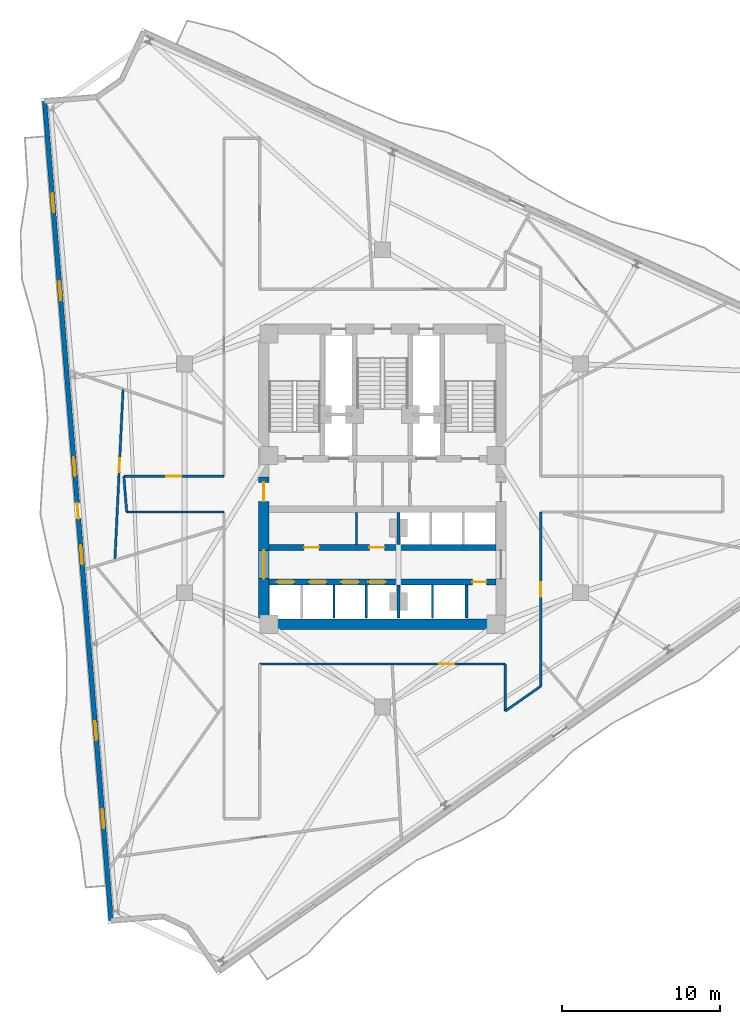
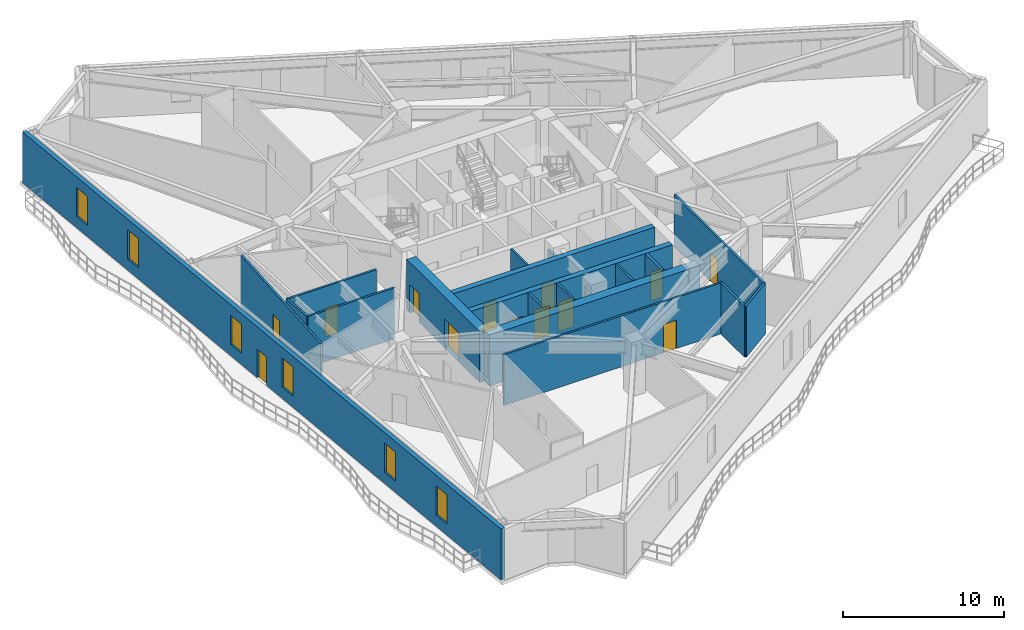
# One storey, part 5 of 12: 20 walls, 14 doors, 6 windows, 20 openings.
"""IFC4 building model written with IfcOpenShell, lengths in metres."""

from ifc_helpers import new_model, si_unit, direction, frame, frame_2d, origin, place, context, subcontext, project, spatial, rectangle, extrude, material, layer, layer_set, type_object, element, fill, save


model = new_model("IFC4")

# Units and contexts
model_context = context("Model", 3, precision=1e-05, world=origin(), true_north=direction((0.0, 1.0)))
body_context = subcontext(model_context, "Body", "Model", "MODEL_VIEW")
ifc_project = project(units=[si_unit("LENGTHUNIT", "METRE"), si_unit("AREAUNIT", "SQUARE_METRE"), si_unit("VOLUMEUNIT", "CUBIC_METRE"), si_unit("PLANEANGLEUNIT", "RADIAN"), si_unit("MASSUNIT", "GRAM", prefix="KILO")], contexts=[model_context])

# Site, building, storey
site_placement = place(None, origin())
site = spatial("IfcSite", under=ifc_project, at=site_placement, CompositionType="ELEMENT")
building_placement = place(site_placement, origin())
building = spatial("IfcBuilding", under=site, at=building_placement, Name="Apsidion Concourse Tower", CompositionType="ELEMENT")
storey_placement = place(building_placement, frame((0.0, 0.0, 198.300048828125)))
storey = spatial("IfcBuildingStorey", under=building, at=storey_placement, Name="L46", CompositionType="ELEMENT", Elevation=198.300048828125)

# Wall, openings, door, windows
ifc_material_1 = material(Name="Precast concrete C40/50", Category="concrete")
ifc_layer_1 = layer(ifc_material_1, 0.300048828125)
ifc_layer_set_1 = layer_set([ifc_layer_1], Name="Precast concrete C40/50")
wall_type_1 = type_object("IfcWallType", Name="WL-EXT-300", PredefinedType="STANDARD", material=ifc_layer_set_1)
wall_1_placement = place(storey_placement, frame((-17.2158203125, -28.039794921875, 0.0), z_axis=(0.0, 0.0, 1.0), x_axis=(-0.080930933538, 0.996719711853, 0.0)))
wall_1 = element("IfcWall", 1, at=wall_1_placement, inside=storey, type_object=wall_type_1, Name="L46 Precast Stone Facade Wall 09", PredefinedType="STANDARD", context=body_context, shape_type="SweptSolid", body=[
    extrude(rectangle(XDim=52.127685546875, YDim=0.300048828125, at=frame_2d((26.06396484375, 0.0))), origin(), (0.0, 0.0, 1.0), 3.849853515625),
])
opening_1_placement = place(wall_1_placement, frame((25.56396484375, 0.0, 0.0)))
opening_1 = element("IfcOpeningElement", 2, at=opening_1_placement, cuts=wall_1, Name="Opening D-T1L", PredefinedType="OPENING", context=body_context, shape_type="SweptSolid", body=[
    extrude(rectangle(XDim=1.0, YDim=2.14990234375, at=frame_2d((0.5, 1.074951171875))), frame((0.0, 0.16015625, 0.0), z_axis=(0.0, -1.0, 0.0), x_axis=(1.0, 0.0, 0.0)), (0.0, 0.0, 1.0), 0.320068359375),
])
opening_2_placement = place(wall_1_placement, frame((5.864013671875, 0.0, 0.85009765625)))
opening_2 = element("IfcOpeningElement", 3, at=opening_2_placement, cuts=wall_1, Name="Opening WN-06", PredefinedType="OPENING", context=body_context, shape_type="SweptSolid", body=[
    extrude(rectangle(XDim=1.199951171875, YDim=2.199951171875, at=frame_2d((0.60009765625, 1.10009765625))), frame((0.0, 0.16015625, 0.0), z_axis=(0.0, -1.0, 0.0), x_axis=(1.0, 0.0, 0.0)), (0.0, 0.0, 1.0), 0.320068359375),
])
opening_3_placement = place(wall_1_placement, frame((11.4638671875, 0.0, 0.85009765625)))
opening_3 = element("IfcOpeningElement", 4, at=opening_3_placement, cuts=wall_1, Name="Opening WN-06", PredefinedType="OPENING", context=body_context, shape_type="SweptSolid", body=[
    extrude(rectangle(XDim=1.199951171875, YDim=2.199951171875, at=frame_2d((0.60009765625, 1.10009765625))), frame((0.0, 0.16015625, 0.0), z_axis=(0.0, -1.0, 0.0), x_axis=(1.0, 0.0, 0.0)), (0.0, 0.0, 1.0), 0.320068359375),
])
opening_4_placement = place(wall_1_placement, frame((22.663818359375, 0.0, 0.85009765625)))
opening_4 = element("IfcOpeningElement", 5, at=opening_4_placement, cuts=wall_1, Name="Opening WN-06", PredefinedType="OPENING", context=body_context, shape_type="SweptSolid", body=[
    extrude(rectangle(XDim=1.199951171875, YDim=2.199951171875, at=frame_2d((0.60009765625, 1.10009765625))), frame((0.0, 0.16015625, 0.0), z_axis=(0.0, -1.0, 0.0), x_axis=(1.0, 0.0, 0.0)), (0.0, 0.0, 1.0), 0.320068359375),
])
opening_5_placement = place(wall_1_placement, frame((28.263916015625, 0.0, 0.85009765625)))
opening_5 = element("IfcOpeningElement", 6, at=opening_5_placement, cuts=wall_1, Name="Opening WN-06", PredefinedType="OPENING", context=body_context, shape_type="SweptSolid", body=[
    extrude(rectangle(XDim=1.199951171875, YDim=2.199951171875, at=frame_2d((0.60009765625, 1.10009765625))), frame((0.0, 0.16015625, 0.0), z_axis=(0.0, -1.0, 0.0), x_axis=(1.0, 0.0, 0.0)), (0.0, 0.0, 1.0), 0.320068359375),
])
opening_6_placement = place(wall_1_placement, frame((39.4638671875, 0.0, 0.85009765625)))
opening_6 = element("IfcOpeningElement", 7, at=opening_6_placement, cuts=wall_1, Name="Opening WN-06", PredefinedType="OPENING", context=body_context, shape_type="SweptSolid", body=[
    extrude(rectangle(XDim=1.199951171875, YDim=2.199951171875, at=frame_2d((0.60009765625, 1.10009765625))), frame((0.0, 0.16015625, 0.0), z_axis=(0.0, -1.0, 0.0), x_axis=(1.0, 0.0, 0.0)), (0.0, 0.0, 1.0), 0.320068359375),
])
opening_7_placement = place(wall_1_placement, frame((45.06396484375, 0.0, 0.85009765625)))
opening_7 = element("IfcOpeningElement", 8, at=opening_7_placement, cuts=wall_1, Name="Opening WN-06", PredefinedType="OPENING", context=body_context, shape_type="SweptSolid", body=[
    extrude(rectangle(XDim=1.199951171875, YDim=2.199951171875, at=frame_2d((0.60009765625, 1.10009765625))), frame((0.0, 0.16015625, 0.0), z_axis=(0.0, -1.0, 0.0), x_axis=(1.0, 0.0, 0.0)), (0.0, 0.0, 1.0), 0.320068359375),
])
ifc_material_2 = material(Name="Anodised aluminium EN AW-6063 T6", Category="aluminium")
door_type_1 = type_object("IfcDoorType", Name="DR-TER-1022L", OperationType="SINGLE_SWING_LEFT", PredefinedType="DOOR", material=ifc_material_2)
door_1_placement = place(opening_1_placement, origin())
door_1 = element("IfcDoor", 9, at=door_1_placement, inside=storey, type_object=door_type_1, Name="L46 Balcony Access Door 1", OperationType="SINGLE_SWING_LEFT", OverallHeight=2.14990234375, OverallWidth=1.0, PredefinedType="DOOR", context=body_context, shape_type="SweptSolid", body=[
    extrude(rectangle(XDim=1.0, YDim=2.14990234375, at=frame_2d((0.5, 1.074951171875))), frame((0.0, 0.02490234375, 0.0), z_axis=(0.0, -1.0, 0.0), x_axis=(1.0, 0.0, 0.0)), (0.0, 0.0, 1.0), 0.050048828125),
])
fill(opening_1, door_1)
ifc_material_3 = material(Name="Insulated laminated low-E glass", Category="glass")
window_type = type_object("IfcWindowType", Name="WN-OFF-1224", PartitioningType="SINGLE_PANEL", PredefinedType="WINDOW", material=ifc_material_3)
window_1_placement = place(opening_2_placement, origin())
window_1 = element("IfcWindow", 10, at=window_1_placement, inside=storey, type_object=window_type, Name="L46 Punched Facade Window 9-01", OverallHeight=2.199951171875, OverallWidth=1.199951171875, PartitioningType="SINGLE_PANEL", PredefinedType="WINDOW", context=body_context, shape_type="SweptSolid", body=[
    extrude(rectangle(XDim=1.199951171875, YDim=2.199951171875, at=frame_2d((0.60009765625, 1.10009765625))), frame((0.0, 0.030029296875, 0.0), z_axis=(0.0, -1.0, 0.0), x_axis=(1.0, 0.0, 0.0)), (0.0, 0.0, 1.0), 0.06005859375),
])
fill(opening_2, window_1)
window_2_placement = place(opening_3_placement, origin())
window_2 = element("IfcWindow", 11, at=window_2_placement, inside=storey, type_object=window_type, Name="L46 Punched Facade Window 9-02", OverallHeight=2.199951171875, OverallWidth=1.199951171875, PartitioningType="SINGLE_PANEL", PredefinedType="WINDOW", context=body_context, shape_type="SweptSolid", body=[
    extrude(rectangle(XDim=1.199951171875, YDim=2.199951171875, at=frame_2d((0.60009765625, 1.10009765625))), frame((0.0, 0.030029296875, 0.0), z_axis=(0.0, -1.0, 0.0), x_axis=(1.0, 0.0, 0.0)), (0.0, 0.0, 1.0), 0.06005859375),
])
fill(opening_3, window_2)
window_3_placement = place(opening_4_placement, origin())
window_3 = element("IfcWindow", 12, at=window_3_placement, inside=storey, type_object=window_type, Name="L46 Punched Facade Window 9-04", OverallHeight=2.199951171875, OverallWidth=1.199951171875, PartitioningType="SINGLE_PANEL", PredefinedType="WINDOW", context=body_context, shape_type="SweptSolid", body=[
    extrude(rectangle(XDim=1.199951171875, YDim=2.199951171875, at=frame_2d((0.60009765625, 1.10009765625))), frame((0.0, 0.030029296875, 0.0), z_axis=(0.0, -1.0, 0.0), x_axis=(1.0, 0.0, 0.0)), (0.0, 0.0, 1.0), 0.06005859375),
])
fill(opening_4, window_3)
window_4_placement = place(opening_5_placement, origin())
window_4 = element("IfcWindow", 13, at=window_4_placement, inside=storey, type_object=window_type, Name="L46 Punched Facade Window 9-05", OverallHeight=2.199951171875, OverallWidth=1.199951171875, PartitioningType="SINGLE_PANEL", PredefinedType="WINDOW", context=body_context, shape_type="SweptSolid", body=[
    extrude(rectangle(XDim=1.199951171875, YDim=2.199951171875, at=frame_2d((0.60009765625, 1.10009765625))), frame((0.0, 0.030029296875, 0.0), z_axis=(0.0, -1.0, 0.0), x_axis=(1.0, 0.0, 0.0)), (0.0, 0.0, 1.0), 0.06005859375),
])
fill(opening_5, window_4)
window_5_placement = place(opening_6_placement, origin())
window_5 = element("IfcWindow", 14, at=window_5_placement, inside=storey, type_object=window_type, Name="L46 Punched Facade Window 9-07", OverallHeight=2.199951171875, OverallWidth=1.199951171875, PartitioningType="SINGLE_PANEL", PredefinedType="WINDOW", context=body_context, shape_type="SweptSolid", body=[
    extrude(rectangle(XDim=1.199951171875, YDim=2.199951171875, at=frame_2d((0.60009765625, 1.10009765625))), frame((0.0, 0.030029296875, 0.0), z_axis=(0.0, -1.0, 0.0), x_axis=(1.0, 0.0, 0.0)), (0.0, 0.0, 1.0), 0.06005859375),
])
fill(opening_6, window_5)
window_6_placement = place(opening_7_placement, origin())
window_6 = element("IfcWindow", 15, at=window_6_placement, inside=storey, type_object=window_type, Name="L46 Punched Facade Window 9-08", OverallHeight=2.199951171875, OverallWidth=1.199951171875, PartitioningType="SINGLE_PANEL", PredefinedType="WINDOW", context=body_context, shape_type="SweptSolid", body=[
    extrude(rectangle(XDim=1.199951171875, YDim=2.199951171875, at=frame_2d((0.60009765625, 1.10009765625))), frame((0.0, 0.030029296875, 0.0), z_axis=(0.0, -1.0, 0.0), x_axis=(1.0, 0.0, 0.0)), (0.0, 0.0, 1.0), 0.06005859375),
])
fill(opening_7, window_6)

# Walls
ifc_material_4 = material(Name="Gypsum plasterboard partition")
ifc_layer_2 = layer(ifc_material_4, 0.14990234375)
ifc_layer_set_2 = layer_set([ifc_layer_2], Name="Gypsum plasterboard partition")
wall_type_2 = type_object("IfcWallType", Name="WL-INT-PAR-150", PredefinedType="PARTITIONING", material=ifc_layer_set_2)
wall_2_placement = place(storey_placement, frame((-1.64990234375, -4.179931640625, 0.0), z_axis=(0.0, 0.0, 1.0), x_axis=(0.0, 1.0, 0.0)))
element("IfcWall", 16, at=wall_2_placement, inside=storey, type_object=wall_type_2, Name="L46 Interior Partition WL-L46-B1RV1", PredefinedType="PARTITIONING", context=body_context, shape_type="SweptSolid", body=[
    extrude(rectangle(XDim=2.030029296875, YDim=0.14990234375, at=frame_2d((1.01513671875, 0.0))), origin(), (0.0, 0.0, 1.0), 3.849853515625),
])
for number, where, z_axis, x_axis, name in (
    (17, (-3.074951171875, -8.85009765625, 0.0), (0.0, 0.0, 1.0), (0.0, 1.0, 0.0), "L46 Interior Partition WL-L46-B2DIV-2"),
    (18, (-1.02490234375, -8.85009765625, 0.0), (0.0, 0.0, 1.0), (0.0, 1.0, 0.0), "L46 Interior Partition WL-L46-B2DIV-3"),
    (19, (3.175048828125, -8.85009765625, 0.0), (0.0, 0.0, 1.0), (0.0, 1.0, 0.0), "L46 Interior Partition WL-L46-SHDIV-1"),
):
    element("IfcWall", number, at=place(storey_placement, frame(where, z_axis=z_axis, x_axis=x_axis)), inside=storey, type_object=wall_type_2, Name=name, PredefinedType="PARTITIONING", context=body_context, shape_type="SweptSolid", body=[
        extrude(rectangle(XDim=2.080078125, YDim=0.14990234375, at=frame_2d((1.0400390625, 0.0))), origin(), (0.0, 0.0, 1.0), 3.849853515625),
    ])
wall_3_placement = place(storey_placement, frame((10.050048828125, -13.177490234375, 0.0), z_axis=(0.0, 0.0, 1.0), x_axis=(-0.819144609591, -0.573587054053, 0.0)))
element("IfcWall", 20, at=wall_3_placement, inside=storey, type_object=wall_type_2, Name="L46 Interior Partition WL-L46-CORR-01", PredefinedType="PARTITIONING", context=body_context, shape_type="SweptSolid", body=[
    extrude(rectangle(XDim=2.759033203125, YDim=0.14990234375, at=frame_2d((1.37939453125, 0.0))), origin(), (0.0, 0.0, 1.0), 3.849853515625),
])
wall_4_placement = place(storey_placement, frame((7.7900390625, -14.760009765625, 0.0), z_axis=(0.0, 0.0, 1.0), x_axis=(0.0, 1.0, 0.0)))
element("IfcWall", 21, at=wall_4_placement, inside=storey, type_object=wall_type_2, Name="L46 Interior Partition WL-L46-CORR-02", PredefinedType="PARTITIONING", context=body_context, shape_type="SweptSolid", body=[
    extrude(rectangle(XDim=2.985107421875, YDim=0.14990234375, at=frame_2d((1.49267578125, 0.0))), origin(), (0.0, 0.0, 1.0), 3.849853515625),
])

# Wall, opening, door
wall_5_placement = place(storey_placement, frame((7.7900390625, -11.77490234375, 0.0), z_axis=(0.0, 0.0, 1.0), x_axis=(-1.0, 0.0, 0.0)))
wall_5 = element("IfcWall", 22, at=wall_5_placement, inside=storey, type_object=wall_type_2, Name="L46 Interior Partition WL-L46-CORR-03", PredefinedType="PARTITIONING", context=body_context, shape_type="SweptSolid", body=[
    extrude(rectangle(XDim=15.580078125, YDim=0.14990234375, at=frame_2d((7.7900390625, 0.0))), origin(), (0.0, 0.0, 1.0), 3.849853515625),
])
opening_8_placement = place(wall_5_placement, frame((3.23779296875, 0.0, 0.0)))
opening_8 = element("IfcOpeningElement", 23, at=opening_8_placement, cuts=wall_5, Name="Opening D-01L", PredefinedType="OPENING", context=body_context, shape_type="SweptSolid", body=[
    extrude(rectangle(XDim=0.949951171875, YDim=2.14990234375, at=frame_2d((0.47509765625, 1.074951171875))), frame((0.0, 0.0849609375, 0.0), z_axis=(0.0, -1.0, 0.0), x_axis=(1.0, 0.0, 0.0)), (0.0, 0.0, 1.0), 0.169921875),
])
ifc_material_5 = material(Name="Brushed stainless steel 316", Category="steel")
door_type_2 = type_object("IfcDoorType", Name="DR-INT-D01L", OperationType="SINGLE_SWING_LEFT", PredefinedType="DOOR", material=ifc_material_5)
door_2_placement = place(opening_8_placement, origin())
door_2 = element("IfcDoor", 24, at=door_2_placement, inside=storey, type_object=door_type_2, Name="L46 Corridor Entry Door 03", OperationType="SINGLE_SWING_LEFT", OverallHeight=2.14990234375, OverallWidth=0.949951171875, PredefinedType="DOOR", context=body_context, shape_type="SweptSolid", body=[
    extrude(rectangle(XDim=0.949951171875, YDim=2.14990234375, at=frame_2d((0.47509765625, 1.074951171875))), frame((0.0, 0.02490234375, 0.0), z_axis=(0.0, -1.0, 0.0), x_axis=(1.0, 0.0, 0.0)), (0.0, 0.0, 1.0), 0.050048828125),
])
fill(opening_8, door_2)

# Walls
wall_6_placement = place(storey_placement, frame((-10.050048828125, -2.1298828125, 0.0), z_axis=(0.0, 0.0, 1.0), x_axis=(-1.0, 0.0, 0.0)))
element("IfcWall", 25, at=wall_6_placement, inside=storey, type_object=wall_type_2, Name="L46 Interior Partition WL-L46-CORR-07", PredefinedType="PARTITIONING", context=body_context, shape_type="SweptSolid", body=[
    extrude(rectangle(XDim=6.17431640625, YDim=0.14990234375, at=frame_2d((3.087158203125, 0.0))), origin(), (0.0, 0.0, 1.0), 3.849853515625),
])
wall_7_placement = place(storey_placement, frame((-16.224365234375, -2.1298828125, 0.0), z_axis=(0.0, 0.0, 1.0), x_axis=(-0.080977783256, 0.996715906675, 0.0)))
element("IfcWall", 26, at=wall_7_placement, inside=storey, type_object=wall_type_2, Name="L46 Interior Partition WL-L46-CORR-08", PredefinedType="PARTITIONING", context=body_context, shape_type="SweptSolid", body=[
    extrude(rectangle(XDim=2.26708984375, YDim=0.14990234375, at=frame_2d((1.133544921875, 0.0))), origin(), (0.0, 0.0, 1.0), 3.849853515625),
])

# Wall, opening, door
wall_8_placement = place(storey_placement, frame((-16.407958984375, 0.1298828125, 0.0), z_axis=(0.0, 0.0, 1.0), x_axis=(1.0, 0.0, 0.0)))
wall_8 = element("IfcWall", 27, at=wall_8_placement, inside=storey, type_object=wall_type_2, Name="L46 Interior Partition WL-L46-CORR-09", PredefinedType="PARTITIONING", context=body_context, shape_type="SweptSolid", body=[
    extrude(rectangle(XDim=6.35791015625, YDim=0.14990234375, at=frame_2d((3.178955078125, 0.0))), origin(), (0.0, 0.0, 1.0), 3.849853515625),
])
opening_9_placement = place(wall_8_placement, frame((2.7041015625, 0.0, 0.0)))
opening_9 = element("IfcOpeningElement", 28, at=opening_9_placement, cuts=wall_8, Name="Opening D-01R", PredefinedType="OPENING", context=body_context, shape_type="SweptSolid", body=[
    extrude(rectangle(XDim=0.949951171875, YDim=2.14990234375, at=frame_2d((0.47509765625, 1.074951171875))), frame((0.0, 0.0849609375, 0.0), z_axis=(0.0, -1.0, 0.0), x_axis=(1.0, 0.0, 0.0)), (0.0, 0.0, 1.0), 0.169921875),
])
door_type_3 = type_object("IfcDoorType", Name="DR-INT-D01R", OperationType="SINGLE_SWING_RIGHT", PredefinedType="DOOR", material=ifc_material_5)
door_3_placement = place(opening_9_placement, origin())
door_3 = element("IfcDoor", 29, at=door_3_placement, inside=storey, type_object=door_type_3, Name="L46 Corridor Entry Door 10", OperationType="SINGLE_SWING_RIGHT", OverallHeight=2.14990234375, OverallWidth=0.949951171875, PredefinedType="DOOR", context=body_context, shape_type="SweptSolid", body=[
    extrude(rectangle(XDim=0.949951171875, YDim=2.14990234375, at=frame_2d((0.47509765625, 1.074951171875))), frame((0.0, 0.02490234375, 0.0), z_axis=(0.0, -1.0, 0.0), x_axis=(1.0, 0.0, 0.0)), (0.0, 0.0, 1.0), 0.050048828125),
])
fill(opening_9, door_3)

wall_9_placement = place(storey_placement, frame((10.050048828125, -2.1298828125, 0.0), z_axis=(0.0, 0.0, 1.0), x_axis=(0.0, -1.0, 0.0)))
wall_9 = element("IfcWall", 30, at=wall_9_placement, inside=storey, type_object=wall_type_2, Name="L46 Interior Partition WL-L46-CORR-20", PredefinedType="PARTITIONING", context=body_context, shape_type="SweptSolid", body=[
    extrude(rectangle(XDim=11.047607421875, YDim=0.14990234375, at=frame_2d((5.52392578125, 0.0))), origin(), (0.0, 0.0, 1.0), 3.849853515625),
])
opening_10_placement = place(wall_9_placement, frame((4.442138671875, 0.0, 0.0)))
opening_10 = element("IfcOpeningElement", 31, at=opening_10_placement, cuts=wall_9, Name="Opening D-01R", PredefinedType="OPENING", context=body_context, shape_type="SweptSolid", body=[
    extrude(rectangle(XDim=0.949951171875, YDim=2.14990234375, at=frame_2d((0.47509765625, 1.074951171875))), frame((0.0, 0.0849609375, 0.0), z_axis=(0.0, -1.0, 0.0), x_axis=(1.0, 0.0, 0.0)), (0.0, 0.0, 1.0), 0.169921875),
])
door_4_placement = place(opening_10_placement, origin())
door_4 = element("IfcDoor", 32, at=door_4_placement, inside=storey, type_object=door_type_3, Name="L46 Corridor Entry Door 04", OperationType="SINGLE_SWING_RIGHT", OverallHeight=2.14990234375, OverallWidth=0.949951171875, PredefinedType="DOOR", context=body_context, shape_type="SweptSolid", body=[
    extrude(rectangle(XDim=0.949951171875, YDim=2.14990234375, at=frame_2d((0.47509765625, 1.074951171875))), frame((0.0, 0.02490234375, 0.0), z_axis=(0.0, -1.0, 0.0), x_axis=(1.0, 0.0, 0.0)), (0.0, 0.0, 1.0), 0.050048828125),
])
fill(opening_10, door_4)

wall_10_placement = place(storey_placement, frame((-16.456787109375, 5.64013671875, 0.0), z_axis=(0.0, 0.0, 1.0), x_axis=(-0.047609123219, -0.998866042764, 0.0)))
wall_10 = element("IfcWall", 33, at=wall_10_placement, inside=storey, type_object=wall_type_2, Name="L46 Interior Partition WL-L46-CHD-OFS09", PredefinedType="PARTITIONING", context=body_context, shape_type="SweptSolid", body=[
    extrude(rectangle(XDim=10.81494140625, YDim=0.14990234375, at=frame_2d((5.407470703125, 0.0))), origin(), (0.0, 0.0, 1.0), 3.849853515625),
])
opening_11_placement = place(wall_10_placement, frame((4.357421875, 0.0, 0.0)))
opening_11 = element("IfcOpeningElement", 34, at=opening_11_placement, cuts=wall_10, Name="Opening D-02R", PredefinedType="OPENING", context=body_context, shape_type="SweptSolid", body=[
    extrude(rectangle(XDim=0.89990234375, YDim=2.10009765625, at=frame_2d((0.449951171875, 1.050048828125))), frame((0.0, 0.0849609375, 0.0), z_axis=(0.0, -1.0, 0.0), x_axis=(1.0, 0.0, 0.0)), (0.0, 0.0, 1.0), 0.169921875),
])
door_type_4 = type_object("IfcDoorType", Name="DR-INT-D02R", OperationType="SINGLE_SWING_RIGHT", PredefinedType="DOOR", material=ifc_material_2)
door_5_placement = place(opening_11_placement, origin())
door_5 = element("IfcDoor", 35, at=door_5_placement, inside=storey, type_object=door_type_4, Name="L46 Suite Connecting Door OFS09", OperationType="SINGLE_SWING_RIGHT", OverallHeight=2.10009765625, OverallWidth=0.89990234375, PredefinedType="DOOR", context=body_context, shape_type="SweptSolid", body=[
    extrude(rectangle(XDim=0.89990234375, YDim=2.10009765625, at=frame_2d((0.449951171875, 1.050048828125))), frame((0.0, 0.02490234375, 0.0), z_axis=(0.0, -1.0, 0.0), x_axis=(1.0, 0.0, 0.0)), (0.0, 0.0, 1.0), 0.050048828125),
])
fill(opening_11, door_5)

# Walls
ifc_layer_3 = layer(ifc_material_4, 0.179931640625)
ifc_layer_set_3 = layer_set([ifc_layer_3], Name="Gypsum plasterboard partition")
wall_type_3 = type_object("IfcWallType", Name="WL-INT-PAR-180", PredefinedType="PARTITIONING", material=ifc_layer_set_3)
wall_11_placement = place(storey_placement, frame((1.02490234375, -4.179931640625, 0.0), z_axis=(0.0, 0.0, 1.0), x_axis=(0.0, 1.0, 0.0)))
element("IfcWall", 36, at=wall_11_placement, inside=storey, type_object=wall_type_3, Name="L46 Interior Partition WL-L46-B1END", PredefinedType="PARTITIONING", context=body_context, shape_type="SweptSolid", body=[
    extrude(rectangle(XDim=2.030029296875, YDim=0.179931640625, at=frame_2d((1.01513671875, 0.0))), origin(), (0.0, 0.0, 1.0), 2.89794921875),
])
wall_12_placement = place(storey_placement, frame((1.02490234375, -8.85009765625, 0.0), z_axis=(0.0, 0.0, 1.0), x_axis=(0.0, 1.0, 0.0)))
element("IfcWall", 37, at=wall_12_placement, inside=storey, type_object=wall_type_3, Name="L46 Interior Partition WL-L46-B2END", PredefinedType="PARTITIONING", context=body_context, shape_type="SweptSolid", body=[
    extrude(rectangle(XDim=2.080078125, YDim=0.179931640625, at=frame_2d((1.0400390625, 0.0))), origin(), (0.0, 0.0, 1.0), 2.89794921875),
])
wall_13_placement = place(storey_placement, frame((5.324951171875, -8.85009765625, 0.0), z_axis=(0.0, 0.0, 1.0), x_axis=(0.0, 1.0, 0.0)))
element("IfcWall", 38, at=wall_13_placement, inside=storey, type_object=wall_type_3, Name="L46 Interior Partition WL-L46-SHDIV-2", PredefinedType="PARTITIONING", context=body_context, shape_type="SweptSolid", body=[
    extrude(rectangle(XDim=2.080078125, YDim=0.179931640625, at=frame_2d((1.0400390625, 0.0))), origin(), (0.0, 0.0, 1.0), 3.849853515625),
])

# Wall, openings, doors
ifc_material_6 = material(Name="Concrete C50/60", Category="concrete")
ifc_layer_4 = layer(ifc_material_6, 0.39990234375)
ifc_layer_set_4 = layer_set([ifc_layer_4], Name="Concrete C50/60")
wall_type_4 = type_object("IfcWallType", Name="WL-SH-400", PredefinedType="SHEAR", material=ifc_layer_set_4)
wall_14_placement = place(storey_placement, frame((-7.199951171875, -4.3798828125, 0.0), z_axis=(0.0, 0.0, 1.0), x_axis=(1.0, 0.0, 0.0)))
wall_14 = element("IfcWall", 39, at=wall_14_placement, inside=storey, type_object=wall_type_4, Name="L46 Central Core Shear Wall LA", PredefinedType="SHEAR", context=body_context, shape_type="SweptSolid", body=[
    extrude(rectangle(XDim=14.39990234375, YDim=0.39990234375, at=frame_2d((7.199951171875, 0.0))), origin(), (0.0, 0.0, 1.0), 3.849853515625),
])
opening_12_placement = place(wall_14_placement, frame((2.22509765625, 0.0, 0.0)))
opening_12 = element("IfcOpeningElement", 40, at=opening_12_placement, cuts=wall_14, Name="Opening D-04L", PredefinedType="OPENING", context=body_context, shape_type="SweptSolid", body=[
    extrude(rectangle(XDim=0.949951171875, YDim=2.14990234375, at=frame_2d((0.47509765625, 1.074951171875))), frame((0.0, 0.2099609375, 0.0), z_axis=(0.0, -1.0, 0.0), x_axis=(1.0, 0.0, 0.0)), (0.0, 0.0, 1.0), 0.419921875),
])
opening_13_placement = place(wall_14_placement, frame((6.375, 0.0, 0.0)))
opening_13 = element("IfcOpeningElement", 41, at=opening_13_placement, cuts=wall_14, Name="Opening D-04R", PredefinedType="OPENING", context=body_context, shape_type="SweptSolid", body=[
    extrude(rectangle(XDim=0.949951171875, YDim=2.14990234375, at=frame_2d((0.47509765625, 1.074951171875))), frame((0.0, 0.2099609375, 0.0), z_axis=(0.0, -1.0, 0.0), x_axis=(1.0, 0.0, 0.0)), (0.0, 0.0, 1.0), 0.419921875),
])
door_type_5 = type_object("IfcDoorType", Name="DR-INT-D04L", OperationType="SINGLE_SWING_LEFT", PredefinedType="DOOR", material=ifc_material_5)
door_6_placement = place(opening_12_placement, origin())
door_6 = element("IfcDoor", 42, at=door_6_placement, inside=storey, type_object=door_type_5, Name="L46 Tenant Records Archive Room Door", OperationType="SINGLE_SWING_LEFT", OverallHeight=2.14990234375, OverallWidth=0.949951171875, PredefinedType="DOOR", context=body_context, shape_type="SweptSolid", body=[
    extrude(rectangle(XDim=0.949951171875, YDim=2.14990234375, at=frame_2d((0.47509765625, 1.074951171875))), frame((0.0, 0.02490234375, 0.0), z_axis=(0.0, -1.0, 0.0), x_axis=(1.0, 0.0, 0.0)), (0.0, 0.0, 1.0), 0.050048828125),
])
fill(opening_12, door_6)
door_type_6 = type_object("IfcDoorType", Name="DR-INT-D04R", OperationType="SINGLE_SWING_RIGHT", PredefinedType="DOOR", material=ifc_material_5)
door_7_placement = place(opening_13_placement, origin())
door_7 = element("IfcDoor", 43, at=door_7_placement, inside=storey, type_object=door_type_6, Name="L46 Core Beverage Pantry Door", OperationType="SINGLE_SWING_RIGHT", OverallHeight=2.14990234375, OverallWidth=0.949951171875, PredefinedType="DOOR", context=body_context, shape_type="SweptSolid", body=[
    extrude(rectangle(XDim=0.949951171875, YDim=2.14990234375, at=frame_2d((0.47509765625, 1.074951171875))), frame((0.0, 0.02490234375, 0.0), z_axis=(0.0, -1.0, 0.0), x_axis=(1.0, 0.0, 0.0)), (0.0, 0.0, 1.0), 0.050048828125),
])
fill(opening_13, door_7)

wall_15_placement = place(storey_placement, frame((-7.199951171875, -6.570068359375, 0.0), z_axis=(0.0, 0.0, 1.0), x_axis=(1.0, 0.0, 0.0)))
wall_15 = element("IfcWall", 44, at=wall_15_placement, inside=storey, type_object=wall_type_4, Name="L46 Central Core Shear Wall LB", PredefinedType="SHEAR", context=body_context, shape_type="SweptSolid", body=[
    extrude(rectangle(XDim=14.39990234375, YDim=0.39990234375, at=frame_2d((7.199951171875, 0.0))), origin(), (0.0, 0.0, 1.0), 3.849853515625),
])
opening_14_placement = place(wall_15_placement, frame((0.5, 0.0, 0.0)))
opening_14 = element("IfcOpeningElement", 45, at=opening_14_placement, cuts=wall_15, Name="Opening LD-P1", PredefinedType="OPENING", context=body_context, shape_type="SweptSolid", body=[
    extrude(rectangle(XDim=1.10009765625, YDim=2.199951171875, at=frame_2d((0.550048828125, 1.10009765625))), frame((0.0, 0.2099609375, 0.0), z_axis=(0.0, -1.0, 0.0), x_axis=(1.0, 0.0, 0.0)), (0.0, 0.0, 1.0), 0.419921875),
])
opening_15_placement = place(wall_15_placement, frame((2.550048828125, 0.0, 0.0)))
opening_15 = element("IfcOpeningElement", 46, at=opening_15_placement, cuts=wall_15, Name="Opening LD-P1", PredefinedType="OPENING", context=body_context, shape_type="SweptSolid", body=[
    extrude(rectangle(XDim=1.10009765625, YDim=2.199951171875, at=frame_2d((0.550048828125, 1.10009765625))), frame((0.0, 0.2099609375, 0.0), z_axis=(0.0, -1.0, 0.0), x_axis=(1.0, 0.0, 0.0)), (0.0, 0.0, 1.0), 0.419921875),
])
opening_16_placement = place(wall_15_placement, frame((4.60009765625, 0.0, 0.0)))
opening_16 = element("IfcOpeningElement", 47, at=opening_16_placement, cuts=wall_15, Name="Opening LD-P1", PredefinedType="OPENING", context=body_context, shape_type="SweptSolid", body=[
    extrude(rectangle(XDim=1.10009765625, YDim=2.199951171875, at=frame_2d((0.550048828125, 1.10009765625))), frame((0.0, 0.2099609375, 0.0), z_axis=(0.0, -1.0, 0.0), x_axis=(1.0, 0.0, 0.0)), (0.0, 0.0, 1.0), 0.419921875),
])
opening_17_placement = place(wall_15_placement, frame((6.300048828125, 0.0, 0.0)))
opening_17 = element("IfcOpeningElement", 48, at=opening_17_placement, cuts=wall_15, Name="Opening LD-P1", PredefinedType="OPENING", context=body_context, shape_type="SweptSolid", body=[
    extrude(rectangle(XDim=1.10009765625, YDim=2.199951171875, at=frame_2d((0.550048828125, 1.10009765625))), frame((0.0, 0.2099609375, 0.0), z_axis=(0.0, -1.0, 0.0), x_axis=(1.0, 0.0, 0.0)), (0.0, 0.0, 1.0), 0.419921875),
])
opening_18_placement = place(wall_15_placement, frame((12.909912109375, 0.0, 0.0)))
opening_18 = element("IfcOpeningElement", 49, at=opening_18_placement, cuts=wall_15, Name="Opening D-05L", PredefinedType="OPENING", context=body_context, shape_type="SweptSolid", body=[
    extrude(rectangle(XDim=0.8798828125, YDim=2.14990234375, at=frame_2d((0.43994140625, 1.074951171875))), frame((0.0, 0.2099609375, 0.0), z_axis=(0.0, -1.0, 0.0), x_axis=(1.0, 0.0, 0.0)), (0.0, 0.0, 1.0), 0.419921875),
])
door_type_7 = type_object("IfcDoorType", Name="DR-INT-D05L", OperationType="SINGLE_SWING_LEFT", PredefinedType="DOOR", material=ifc_material_5)
door_8_placement = place(opening_18_placement, origin())
door_8 = element("IfcDoor", 50, at=door_8_placement, inside=storey, type_object=door_type_7, Name="L46 Cleaners Store Door", OperationType="SINGLE_SWING_LEFT", OverallHeight=2.14990234375, OverallWidth=0.8798828125, PredefinedType="DOOR", context=body_context, shape_type="SweptSolid", body=[
    extrude(rectangle(XDim=0.8798828125, YDim=2.14990234375, at=frame_2d((0.43994140625, 1.074951171875))), frame((0.0, 0.02490234375, 0.0), z_axis=(0.0, -1.0, 0.0), x_axis=(1.0, 0.0, 0.0)), (0.0, 0.0, 1.0), 0.050048828125),
])
fill(opening_18, door_8)
door_type_8 = type_object("IfcDoorType", Name="DR-LD-PASS", OperationType="DOUBLE_DOOR_SLIDING", PredefinedType="DOOR", material=ifc_material_5)
door_9_placement = place(opening_14_placement, origin())
door_9 = element("IfcDoor", 51, at=door_9_placement, inside=storey, type_object=door_type_8, Name="L46 Lift Landing Door P5", OperationType="DOUBLE_DOOR_SLIDING", OverallHeight=2.199951171875, OverallWidth=1.10009765625, PredefinedType="DOOR", context=body_context, shape_type="SweptSolid", body=[
    extrude(rectangle(XDim=1.10009765625, YDim=2.199951171875, at=frame_2d((0.550048828125, 1.10009765625))), frame((0.0, 0.02490234375, 0.0), z_axis=(0.0, -1.0, 0.0), x_axis=(1.0, 0.0, 0.0)), (0.0, 0.0, 1.0), 0.050048828125),
])
fill(opening_14, door_9)
door_10_placement = place(opening_15_placement, origin())
door_10 = element("IfcDoor", 52, at=door_10_placement, inside=storey, type_object=door_type_8, Name="L46 Lift Landing Door P6", OperationType="DOUBLE_DOOR_SLIDING", OverallHeight=2.199951171875, OverallWidth=1.10009765625, PredefinedType="DOOR", context=body_context, shape_type="SweptSolid", body=[
    extrude(rectangle(XDim=1.10009765625, YDim=2.199951171875, at=frame_2d((0.550048828125, 1.10009765625))), frame((0.0, 0.02490234375, 0.0), z_axis=(0.0, -1.0, 0.0), x_axis=(1.0, 0.0, 0.0)), (0.0, 0.0, 1.0), 0.050048828125),
])
fill(opening_15, door_10)
door_11_placement = place(opening_16_placement, origin())
door_11 = element("IfcDoor", 53, at=door_11_placement, inside=storey, type_object=door_type_8, Name="L46 Lift Landing Door P7", OperationType="DOUBLE_DOOR_SLIDING", OverallHeight=2.199951171875, OverallWidth=1.10009765625, PredefinedType="DOOR", context=body_context, shape_type="SweptSolid", body=[
    extrude(rectangle(XDim=1.10009765625, YDim=2.199951171875, at=frame_2d((0.550048828125, 1.10009765625))), frame((0.0, 0.02490234375, 0.0), z_axis=(0.0, -1.0, 0.0), x_axis=(1.0, 0.0, 0.0)), (0.0, 0.0, 1.0), 0.050048828125),
])
fill(opening_16, door_11)
door_12_placement = place(opening_17_placement, origin())
door_12 = element("IfcDoor", 54, at=door_12_placement, inside=storey, type_object=door_type_8, Name="L46 Lift Landing Door P8", OperationType="DOUBLE_DOOR_SLIDING", OverallHeight=2.199951171875, OverallWidth=1.10009765625, PredefinedType="DOOR", context=body_context, shape_type="SweptSolid", body=[
    extrude(rectangle(XDim=1.10009765625, YDim=2.199951171875, at=frame_2d((0.550048828125, 1.10009765625))), frame((0.0, 0.02490234375, 0.0), z_axis=(0.0, -1.0, 0.0), x_axis=(1.0, 0.0, 0.0)), (0.0, 0.0, 1.0), 0.050048828125),
])
fill(opening_17, door_12)

ifc_layer_5 = layer(ifc_material_6, 0.64990234375)
ifc_layer_set_5 = layer_set([ifc_layer_5], Name="Concrete C50/60")
wall_type_5 = type_object("IfcWallType", Name="WL-SH-650", PredefinedType="SHEAR", material=ifc_layer_set_5)
wall_16_placement = place(storey_placement, frame((-7.52490234375, -8.925048828125, 0.0), z_axis=(0.0, 0.0, 1.0), x_axis=(0.0, 1.0, 0.0)))
wall_16 = element("IfcWall", 55, at=wall_16_placement, inside=storey, type_object=wall_type_5, Name="L46 Central Core Shear Wall WS", PredefinedType="SHEAR", context=body_context, shape_type="SweptSolid", body=[
    extrude(rectangle(XDim=9.025146484375, YDim=0.64990234375, at=frame_2d((4.5126953125, 0.0))), origin(), (0.0, 0.0, 1.0), 3.849853515625),
])
opening_19_placement = place(wall_16_placement, frame((2.56494140625, 0.0, 0.0)))
opening_19 = element("IfcOpeningElement", 56, at=opening_19_placement, cuts=wall_16, Name="Opening D-06D", PredefinedType="OPENING", context=body_context, shape_type="SweptSolid", body=[
    extrude(rectangle(XDim=1.800048828125, YDim=2.199951171875, at=frame_2d((0.89990234375, 1.10009765625))), frame((0.0, 0.3349609375, 0.0), z_axis=(0.0, -1.0, 0.0), x_axis=(1.0, 0.0, 0.0)), (0.0, 0.0, 1.0), 0.669921875),
])
opening_20_placement = place(wall_16_placement, frame((7.47509765625, 0.0, 0.0)))
opening_20 = element("IfcOpeningElement", 57, at=opening_20_placement, cuts=wall_16, Name="Opening D-FFL", PredefinedType="OPENING", context=body_context, shape_type="SweptSolid", body=[
    extrude(rectangle(XDim=1.199951171875, YDim=2.14990234375, at=frame_2d((0.60009765625, 1.074951171875))), frame((0.0, 0.3349609375, 0.0), z_axis=(0.0, -1.0, 0.0), x_axis=(1.0, 0.0, 0.0)), (0.0, 0.0, 1.0), 0.669921875),
])
door_type_9 = type_object("IfcDoorType", Name="DR-INT-D06D", OperationType="DOUBLE_DOOR_SINGLE_SWING", PredefinedType="DOOR", material=ifc_material_5)
door_13_placement = place(opening_19_placement, origin())
door_13 = element("IfcDoor", 58, at=door_13_placement, inside=storey, type_object=door_type_9, Name="L46 Passenger Lift Lobby WS Portal Door", OperationType="DOUBLE_DOOR_SINGLE_SWING", OverallHeight=2.199951171875, OverallWidth=1.800048828125, PredefinedType="DOOR", context=body_context, shape_type="SweptSolid", body=[
    extrude(rectangle(XDim=1.800048828125, YDim=2.199951171875, at=frame_2d((0.89990234375, 1.10009765625))), frame((0.0, 0.02490234375, 0.0), z_axis=(0.0, -1.0, 0.0), x_axis=(1.0, 0.0, 0.0)), (0.0, 0.0, 1.0), 0.050048828125),
])
fill(opening_19, door_13)
door_type_10 = type_object("IfcDoorType", Name="DR-INT-FFL", OperationType="SINGLE_SWING_LEFT", PredefinedType="DOOR", material=ifc_material_5)
door_14_placement = place(opening_20_placement, origin())
door_14 = element("IfcDoor", 59, at=door_14_placement, inside=storey, type_object=door_type_10, Name="L46 Firefighting Lift Lobby FF1 Door", OperationType="SINGLE_SWING_LEFT", OverallHeight=2.14990234375, OverallWidth=1.199951171875, PredefinedType="DOOR", context=body_context, shape_type="SweptSolid", body=[
    extrude(rectangle(XDim=1.199951171875, YDim=2.14990234375, at=frame_2d((0.60009765625, 1.074951171875))), frame((0.0, 0.02490234375, 0.0), z_axis=(0.0, -1.0, 0.0), x_axis=(1.0, 0.0, 0.0)), (0.0, 0.0, 1.0), 0.050048828125),
])
fill(opening_20, door_14)

# Wall
wall_17_placement = place(storey_placement, frame((-7.52490234375, -9.25, 0.0), z_axis=(0.0, 0.0, 1.0), x_axis=(1.0, 0.0, 0.0)))
element("IfcWall", 60, at=wall_17_placement, inside=storey, type_object=wall_type_5, Name="L46 Central Core Shear Wall S", PredefinedType="SHEAR", context=body_context, shape_type="SweptSolid", body=[
    extrude(rectangle(XDim=15.0498046875, YDim=0.64990234375, at=frame_2d((7.52490234375, 0.0))), origin(), (0.0, 0.0, 1.0), 3.849853515625),
])

save(model, "model.ifc")
